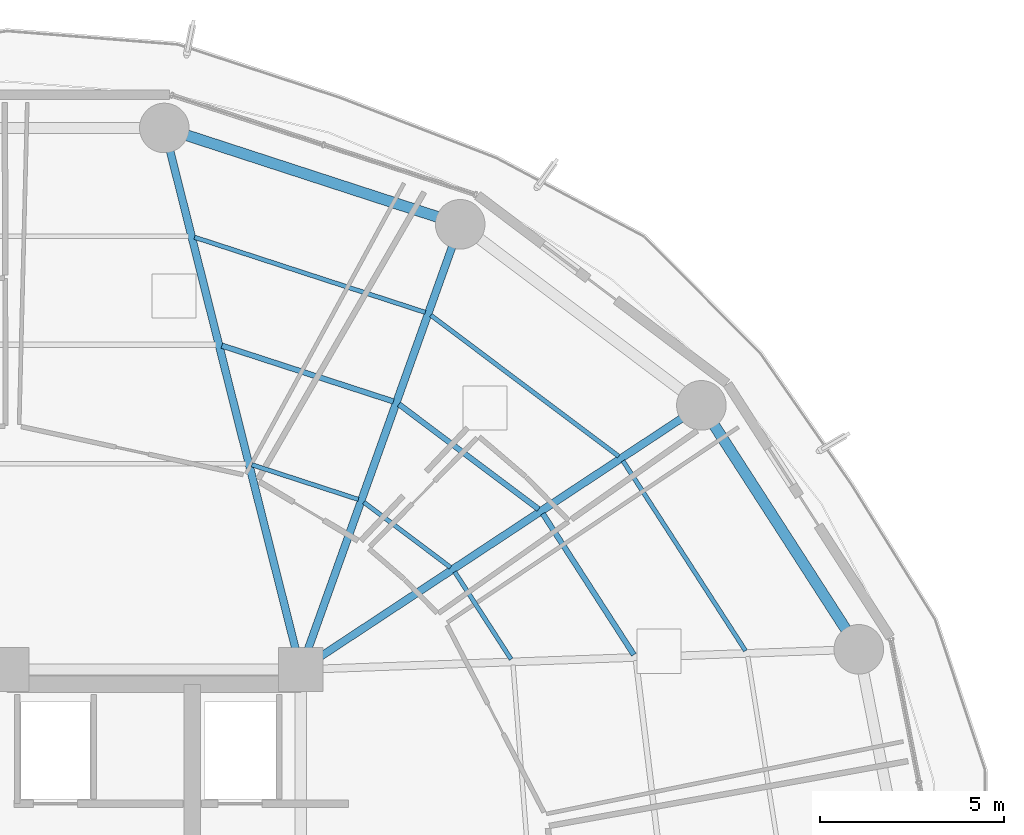
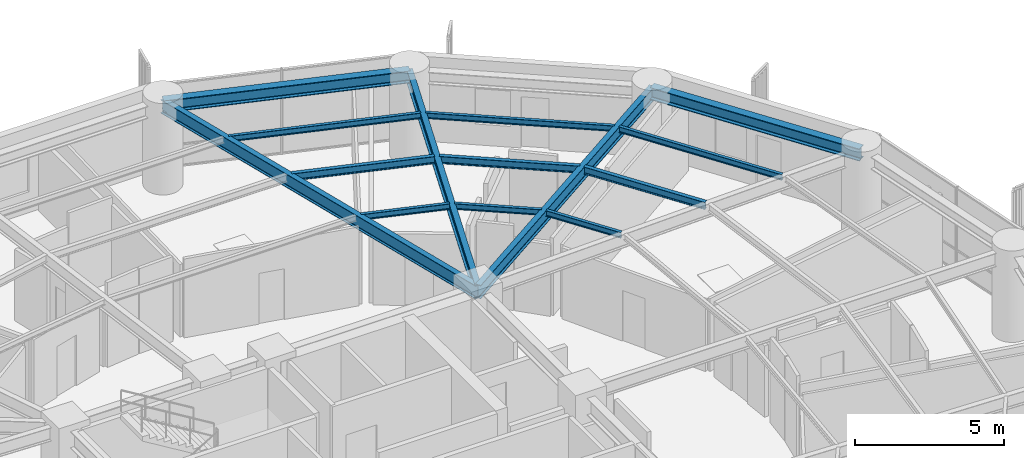
# One storey, part 24 of 35: 14 beams.
"""IFC4 building model written with IfcOpenShell, lengths in metres."""

import ifcopenshell
import ifcopenshell.guid

model = None  # the IFC model being written
_history = None  # IfcOwnerHistory: only IFC2X3 demands one
_inside = {}  # id of a spatial element -> (the spatial element, [elements in it])
_under = {}  # id of a project, library or spatial element -> (it, [spatial elements below it])
_declared = {}  # id of a project -> (the project, [libraries it declares])
_typed = {}  # id of a type object -> (the type object, [elements of that type])
_made_of = {}  # id of a material, layer set ... -> (it, [elements and type objects made of it])


def new_model(schema):
    """Start an empty IFC model of exactly this schema.

    Asked for "IFC4X3", IfcOpenShell would pick the latest addendum, in which some entities
    have other attributes; the version numbers below select the first issue.
    IFC2X3 requires an IfcOwnerHistory on every rooted entity: one is made here for all.
    """
    global model, _history
    if schema == "IFC4X3":
        model = ifcopenshell.file(schema_version=(4, 3, 0, 0))
    else:
        model = ifcopenshell.file(schema=schema)
    _inside.clear()
    _under.clear()
    _declared.clear()
    _typed.clear()
    _made_of.clear()
    _history = None
    if model.schema == "IFC2X3":
        org = make("IfcOrganization", Name="unknown")
        user = make(
            "IfcPersonAndOrganization",
            ThePerson=make("IfcPerson", FamilyName="unknown"),
            TheOrganization=org,
        )
        app = make(
            "IfcApplication",
            ApplicationDeveloper=org,
            Version="unknown",
            ApplicationFullName="unknown",
            ApplicationIdentifier="unknown",
        )
        _history = make(
            "IfcOwnerHistory",
            OwningUser=user,
            OwningApplication=app,
            ChangeAction="ADDED",
            CreationDate=0,
        )
    return model


def make(cls, **values):
    """One entity of the class cls with the attributes given. An attribute that is None is left unset."""
    return model.create_entity(
        cls, **{name: value for name, value in values.items() if value is not None}
    )


def rooted(cls, **values):
    """An entity with a GlobalId (a new one), such as an element, a storey or a relation."""
    return make(cls, GlobalId=ifcopenshell.guid.new(), OwnerHistory=_history, **values)


def si_unit(unit_type, name, prefix=None):
    """IfcSIUnit, for example si_unit("LENGTHUNIT", "METRE", prefix="MILLI")."""
    return make("IfcSIUnit", UnitType=unit_type, Prefix=prefix, Name=name)


def assignment(units):
    """IfcUnitAssignment: the units of a project."""
    return None if units is None else make("IfcUnitAssignment", Units=units)


def point(xyz):
    """IfcCartesianPoint."""
    return None if xyz is None else make("IfcCartesianPoint", Coordinates=xyz)


def direction(xyz):
    """IfcDirection."""
    return None if xyz is None else make("IfcDirection", DirectionRatios=xyz)


def frame(location, z_axis=None, x_axis=None):
    """IfcAxis2Placement3D, a coordinate frame: its origin and axes. An axis left out is left unset."""
    return make(
        "IfcAxis2Placement3D",
        Location=point(location),
        Axis=direction(z_axis),
        RefDirection=direction(x_axis),
    )


def frame_2d(location, x_axis=None):
    """IfcAxis2Placement2D, a coordinate frame in the plane: its origin and x axis."""
    return make(
        "IfcAxis2Placement2D", Location=point(location), RefDirection=direction(x_axis)
    )


def origin():
    """The frame at (0, 0, 0) with its axes left unset."""
    return frame((0.0, 0.0, 0.0))


def origin_2d():
    """The frame at (0, 0) in the plane with its x axis left unset."""
    return frame_2d((0.0, 0.0))


def place(relative_to, where):
    """IfcLocalPlacement: puts the frame where relative to a parent placement (None: the world)."""
    return make(
        "IfcLocalPlacement", PlacementRelTo=relative_to, RelativePlacement=where
    )


def context(
    kind, dimensions, precision=None, world=None, true_north=None, identifier=None
):
    """IfcGeometricRepresentationContext, for example the 3D "Model" context."""
    return make(
        "IfcGeometricRepresentationContext",
        ContextIdentifier=identifier,
        ContextType=kind,
        CoordinateSpaceDimension=dimensions,
        Precision=precision,
        WorldCoordinateSystem=world,
        TrueNorth=true_north,
    )


def subcontext(parent, identifier, kind, view, scale=None):
    """IfcGeometricRepresentationSubContext, for example "Body" below "Model"."""
    return make(
        "IfcGeometricRepresentationSubContext",
        ContextIdentifier=identifier,
        ContextType=kind,
        ParentContext=parent,
        TargetScale=scale,
        TargetView=view,
    )


def project(units=None, contexts=None):
    """IfcProject with its units and contexts."""
    return rooted(
        "IfcProject",
        Name="project",
        RepresentationContexts=contexts,
        UnitsInContext=assignment(units),
    )


def spatial(cls, under=None, at=None, **own):
    """A site, building, storey or space (cls), placed at a placement, below another one or the project."""
    s = rooted(cls, ObjectPlacement=at, **own)
    if under is not None:
        _under.setdefault(under.id(), (under, []))[1].append(s)
    return s


def profile(cls, at=None, kind="AREA", **sizes):
    """A parametric profile (cls). Its sizes go by their IFC names, for example OverallWidth=200.0."""
    return make(cls, ProfileType=kind, Position=at, **sizes)


def i_section(**sizes):
    """IfcIShapeProfileDef."""
    return profile("IfcIShapeProfileDef", **sizes)


def extrude(swept, where, along, depth):
    """IfcExtrudedAreaSolid: the profile swept, set in the frame where, extruded along a direction by depth."""
    return make(
        "IfcExtrudedAreaSolid",
        SweptArea=swept,
        Position=where,
        ExtrudedDirection=direction(along),
        Depth=depth,
    )


def shape(context_of_items, identifier, shape_type, items):
    """IfcShapeRepresentation: the items that make up one representation, for example the "Body"."""
    return make(
        "IfcShapeRepresentation",
        ContextOfItems=context_of_items,
        RepresentationIdentifier=identifier,
        RepresentationType=shape_type,
        Items=items,
    )


def material(Name=None, Category=None):
    """IfcMaterial."""
    return make("IfcMaterial", Name=Name, Category=Category)


def material_profile(
    of_material, cross_section, Name=None, Category=None, Priority=None
):
    """IfcMaterialProfile: a cross section and its material."""
    return make(
        "IfcMaterialProfile",
        Name=Name,
        Material=of_material,
        Profile=cross_section,
        Priority=Priority,
        Category=Category,
    )


def profile_set(profiles, Name=None, composite=None):
    """IfcMaterialProfileSet."""
    return make(
        "IfcMaterialProfileSet",
        Name=Name,
        MaterialProfiles=profiles,
        CompositeProfile=composite,
    )


def made_of(thing, what):
    """Note that an element or type object is made of a material, layer set ...; save() writes the relation."""
    if what is not None:
        _made_of.setdefault(what.id(), (what, []))[1].append(thing)
    return thing


def type_object(cls, material=None, **own):
    """A type object (cls), such as IfcWallType, which elements share."""
    return made_of(rooted(cls, **own), material)


def element(
    cls,
    number,
    at=None,
    inside=None,
    cuts=None,
    type_object=None,
    material=None,
    context=None,
    identifier="Body",
    shape_type=None,
    held_by="IfcProductDefinitionShape",
    body=None,
    shapes=None,
    **own,
):
    """One element of the class cls, such as IfcWall. Its Tag is "e" and its number.

    at: its placement. inside: the storey or other place that contains it. cuts: it is an
    opening in that element (IfcRelVoidsElement). A single representation is given by context,
    identifier, shape_type and body (its items); several are given by shapes. held_by: the class
    of the entity that holds the representations. save() writes the other relations.
    """
    e = rooted(cls, Tag="e%d" % number, ObjectPlacement=at, **own)
    if body is not None:
        shapes = [shape(context, identifier, shape_type, body)]
    if shapes is not None:
        e.Representation = make(held_by, Representations=shapes)
    if inside is not None:
        _inside.setdefault(inside.id(), (inside, []))[1].append(e)
    if cuts is not None:
        rooted(
            "IfcRelVoidsElement", RelatingBuildingElement=cuts, RelatedOpeningElement=e
        )
    if type_object is not None:
        _typed.setdefault(type_object.id(), (type_object, []))[1].append(e)
    return made_of(e, material)


def aggregate(whole, parts):
    """IfcRelAggregates: a whole, such as a stair, and the parts it consists of."""
    return rooted("IfcRelAggregates", RelatingObject=whole, RelatedObjects=parts)


def save(model, path):
    """Write the relations noted so far, then the file.

    IfcRelAggregates (storeys below a building ...), IfcRelContainedInSpatialStructure (elements
    in a storey), IfcRelDefinesByType, IfcRelAssociatesMaterial and IfcRelDeclares: one each for
    every whole, place, type object, material and project.
    """
    for whole, parts in _under.values():
        aggregate(whole, parts)
    for where, things in _inside.values():
        rooted(
            "IfcRelContainedInSpatialStructure",
            RelatedElements=things,
            RelatingStructure=where,
        )
    for kind, things in _typed.values():
        rooted("IfcRelDefinesByType", RelatedObjects=things, RelatingType=kind)
    for what, things in _made_of.values():
        rooted("IfcRelAssociatesMaterial", RelatedObjects=things, RelatingMaterial=what)
    for by, libraries in _declared.values():
        rooted("IfcRelDeclares", RelatingContext=by, RelatedDefinitions=libraries)
    model.write(path)


model = new_model("IFC4")

# Units and contexts
model_context = context("Model", 3, precision=1e-05, world=origin(), true_north=direction((0.0, 1.0)))
body_context = subcontext(model_context, "Body", "Model", "MODEL_VIEW")
ifc_project = project(units=[si_unit("LENGTHUNIT", "METRE"), si_unit("AREAUNIT", "SQUARE_METRE"), si_unit("VOLUMEUNIT", "CUBIC_METRE"), si_unit("PLANEANGLEUNIT", "RADIAN"), si_unit("MASSUNIT", "GRAM", prefix="KILO")], contexts=[model_context])

# Site, building, storey
site_placement = place(None, origin())
site = spatial("IfcSite", under=ifc_project, at=site_placement, CompositionType="ELEMENT")
building_placement = place(site_placement, origin())
building = spatial("IfcBuilding", under=site, at=building_placement, Name="Kelanora Arch Commons", CompositionType="ELEMENT")
storey_placement = place(building_placement, frame((0.0, 0.0, 121.35009765625)))
storey = spatial("IfcBuildingStorey", under=building, at=storey_placement, Name="L31", CompositionType="ELEMENT", Elevation=121.35009765625)

# Beams
ifc_material = material(Name="Steel S355", Category="steel")
ifc_material_profile_1 = material_profile(ifc_material, i_section(OverallWidth=0.14990234375, OverallDepth=0.300048828125, WebThickness=0.007080078125, FlangeThickness=0.0107421875, FilletRadius=0.014892578125, at=origin_2d()), Name="IPE300")
ifc_profile_set_1 = profile_set([ifc_material_profile_1], Name="Steel S355")
beam_type_1 = type_object("IfcBeamType", Name="BM-JST-01", PredefinedType="JOIST", material=ifc_profile_set_1)
beam_1_placement = place(storey_placement, frame((91.06884765625, 65.402587890625, 3.33984375), z_axis=(-0.542230243286, 0.840229946661, 0.0), x_axis=(-0.840229946661, -0.542230243286, 0.0)))
element("IfcBeam", 1, at=beam_1_placement, inside=storey, type_object=beam_type_1, Name="Secondary Chord Joist BJB-02 L31", PredefinedType="JOIST", context=body_context, shape_type="SweptSolid", body=[
    extrude(i_section(OverallWidth=0.14990234375, OverallDepth=0.300048828125, WebThickness=0.007080078125, FlangeThickness=0.0107421875, FilletRadius=0.014892578125, at=origin_2d()), origin(), (0.0, 0.0, 1.0), 4.572265625),
])
beam_2_placement = place(storey_placement, frame((88.4755859375, 69.36669921875, 3.33984375), z_axis=(-0.79971039107, 0.600385951214, 0.0), x_axis=(-0.600385951214, -0.79971039107, 0.0)))
element("IfcBeam", 2, at=beam_2_placement, inside=storey, type_object=beam_type_1, Name="Secondary Chord Joist BJB-04 L31", PredefinedType="JOIST", context=body_context, shape_type="SweptSolid", body=[
    extrude(i_section(OverallWidth=0.14990234375, OverallDepth=0.300048828125, WebThickness=0.007080078125, FlangeThickness=0.0107421875, FilletRadius=0.014892578125, at=origin_2d()), origin(), (0.0, 0.0, 1.0), 4.756103515625),
])
beam_3_placement = place(storey_placement, frame((84.523193359375, 72.29931640625, 3.33984375), z_axis=(-0.950857140254, 0.309629938521, 0.0), x_axis=(-0.309629938521, -0.950857140254, 0.0)))
element("IfcBeam", 3, at=beam_3_placement, inside=storey, type_object=beam_type_1, Name="Secondary Chord Joist BJB-06 L31", PredefinedType="JOIST", context=body_context, shape_type="SweptSolid", body=[
    extrude(i_section(OverallWidth=0.14990234375, OverallDepth=0.300048828125, WebThickness=0.007080078125, FlangeThickness=0.0107421875, FilletRadius=0.014892578125, at=origin_2d()), origin(), (0.0, 0.0, 1.0), 4.912353515625),
])
ifc_material_profile_2 = material_profile(ifc_material, i_section(OverallWidth=0.1201171875, OverallDepth=0.239990234375, WebThickness=0.006103515625, FlangeThickness=0.009765625, FilletRadius=0.014892578125, at=origin_2d()), Name="IPE240")
ifc_profile_set_2 = profile_set([ifc_material_profile_2], Name="Steel S355")
beam_type_2 = type_object("IfcBeamType", Name="BM-JST-02", PredefinedType="JOIST", material=ifc_profile_set_2)
beam_4_placement = place(storey_placement, frame((87.726806640625, 65.281005859375, 3.369873046875), z_axis=(-0.542211255502, 0.840242199849, 0.0), x_axis=(-0.840242199849, -0.542211255502, 0.0)))
element("IfcBeam", 4, at=beam_4_placement, inside=storey, type_object=beam_type_2, Name="Secondary Chord Joist BJA-02 L31", PredefinedType="JOIST", context=body_context, shape_type="SweptSolid", body=[
    extrude(i_section(OverallWidth=0.1201171875, OverallDepth=0.239990234375, WebThickness=0.006103515625, FlangeThickness=0.009765625, FilletRadius=0.014892578125, at=origin_2d()), origin(), (0.0, 0.0, 1.0), 2.83349609375),
])
beam_5_placement = place(storey_placement, frame((94.107177734375, 65.512939453125, 3.369873046875), z_axis=(-0.542212726273, 0.840241250754, 0.0), x_axis=(-0.840241250754, -0.542212726273, 0.0)))
element("IfcBeam", 5, at=beam_5_placement, inside=storey, type_object=beam_type_2, Name="Secondary Chord Joist BJC-02 L31", PredefinedType="JOIST", context=body_context, shape_type="SweptSolid", body=[
    extrude(i_section(OverallWidth=0.1201171875, OverallDepth=0.239990234375, WebThickness=0.006103515625, FlangeThickness=0.009765625, FilletRadius=0.014892578125, at=origin_2d()), origin(), (0.0, 0.0, 1.0), 6.15283203125),
])
beam_6_placement = place(storey_placement, frame((86.076416015625, 67.7841796875, 3.369873046875), z_axis=(-0.799692034361, 0.600410401458, 0.0), x_axis=(-0.600410401458, -0.799692034361, 0.0)))
element("IfcBeam", 6, at=beam_6_placement, inside=storey, type_object=beam_type_2, Name="Secondary Chord Joist BJA-04 L31", PredefinedType="JOIST", context=body_context, shape_type="SweptSolid", body=[
    extrude(i_section(OverallWidth=0.1201171875, OverallDepth=0.239990234375, WebThickness=0.006103515625, FlangeThickness=0.009765625, FilletRadius=0.014892578125, at=origin_2d()), origin(), (0.0, 0.0, 1.0), 2.949951171875),
])
beam_7_placement = place(storey_placement, frame((90.65673828125, 70.805419921875, 3.369873046875), z_axis=(-0.799734335646, 0.600354055861, 0.0), x_axis=(-0.600354055861, -0.799734335646, 0.0)))
element("IfcBeam", 7, at=beam_7_placement, inside=storey, type_object=beam_type_2, Name="Secondary Chord Joist BJC-04 L31", PredefinedType="JOIST", context=body_context, shape_type="SweptSolid", body=[
    extrude(i_section(OverallWidth=0.1201171875, OverallDepth=0.239990234375, WebThickness=0.006103515625, FlangeThickness=0.009765625, FilletRadius=0.014892578125, at=origin_2d()), origin(), (0.0, 0.0, 1.0), 6.39794921875),
])
beam_8_placement = place(storey_placement, frame((83.568359375, 69.632568359375, 3.369873046875), z_axis=(-0.950846758946, 0.309661817151, 0.0), x_axis=(-0.309661817151, -0.950846758946, 0.0)))
element("IfcBeam", 8, at=beam_8_placement, inside=storey, type_object=beam_type_2, Name="Secondary Chord Joist BJA-06 L31", PredefinedType="JOIST", context=body_context, shape_type="SweptSolid", body=[
    extrude(i_section(OverallWidth=0.1201171875, OverallDepth=0.239990234375, WebThickness=0.006103515625, FlangeThickness=0.009765625, FilletRadius=0.014892578125, at=origin_2d()), origin(), (0.0, 0.0, 1.0), 3.048828125),
])
beam_9_placement = place(storey_placement, frame((85.39111328125, 74.723876953125, 3.369873046875), z_axis=(-0.950862829272, 0.309612467301, 0.0), x_axis=(-0.309612467301, -0.950862829272, 0.0)))
element("IfcBeam", 9, at=beam_9_placement, inside=storey, type_object=beam_type_2, Name="Secondary Chord Joist BJC-06 L31", PredefinedType="JOIST", context=body_context, shape_type="SweptSolid", body=[
    extrude(i_section(OverallWidth=0.1201171875, OverallDepth=0.239990234375, WebThickness=0.006103515625, FlangeThickness=0.009765625, FilletRadius=0.014892578125, at=origin_2d()), origin(), (0.0, 0.0, 1.0), 6.6064453125),
])
ifc_material_profile_3 = material_profile(ifc_material, i_section(OverallWidth=0.2099609375, OverallDepth=0.550048828125, WebThickness=0.010986328125, FlangeThickness=0.01708984375, FilletRadius=0.02392578125, at=origin_2d()), Name="IPE550")
ifc_profile_set_3 = profile_set([ifc_material_profile_3], Name="Steel S355")
beam_type_3 = type_object("IfcBeamType", Name="BM-RAD-Z2", PredefinedType="BEAM", material=ifc_profile_set_3)
beam_10_placement = place(storey_placement, frame((82.0, 65.0, 3.21484375), z_axis=(0.834788577908, 0.550570640512, 0.0), x_axis=(-0.550570640512, 0.834788577908, 0.0)))
element("IfcBeam", 10, at=beam_10_placement, inside=storey, type_object=beam_type_3, Name="Radial Floor Girder BR-04 L31", PredefinedType="BEAM", context=body_context, shape_type="SweptSolid", body=[
    extrude(i_section(OverallWidth=0.2099609375, OverallDepth=0.550048828125, WebThickness=0.010986328125, FlangeThickness=0.01708984375, FilletRadius=0.02392578125, at=origin_2d()), origin(), (0.0, 0.0, 1.0), 13.064453125),
])
beam_11_placement = place(storey_placement, frame((82.0, 65.0, 3.21484375), z_axis=(0.337084640008, 0.941474346687, 0.0), x_axis=(-0.941474346687, 0.337084640008, 0.0)))
element("IfcBeam", 11, at=beam_11_placement, inside=storey, type_object=beam_type_3, Name="Radial Floor Girder BR-06 L31", PredefinedType="BEAM", context=body_context, shape_type="SweptSolid", body=[
    extrude(i_section(OverallWidth=0.2099609375, OverallDepth=0.550048828125, WebThickness=0.010986328125, FlangeThickness=0.01708984375, FilletRadius=0.02392578125, at=origin_2d()), origin(), (0.0, 0.0, 1.0), 12.875244140625),
])
beam_12_placement = place(storey_placement, frame((82.0, 65.0, 3.21484375), z_axis=(-0.244280647475, 0.969704576286, 0.0), x_axis=(-0.969704576286, -0.244280647475, 0.0)))
element("IfcBeam", 12, at=beam_12_placement, inside=storey, type_object=beam_type_3, Name="Radial Floor Girder BR-08 L31", PredefinedType="BEAM", context=body_context, shape_type="SweptSolid", body=[
    extrude(i_section(OverallWidth=0.2099609375, OverallDepth=0.550048828125, WebThickness=0.010986328125, FlangeThickness=0.01708984375, FilletRadius=0.02392578125, at=origin_2d()), origin(), (0.0, 0.0, 1.0), 15.205322265625),
])
ifc_material_profile_4 = material_profile(ifc_material, i_section(OverallWidth=0.300048828125, OverallDepth=0.5, WebThickness=0.014404296875, FlangeThickness=0.028076171875, FilletRadius=0.027099609375, at=origin_2d()), Name="HEB500")
ifc_profile_set_4 = profile_set([ifc_material_profile_4], Name="Steel S355")
beam_type_4 = type_object("IfcBeamType", Name="BM-SPN-Z2", PredefinedType="SPANDREL", material=ifc_profile_set_4)
beam_13_placement = place(storey_placement, frame((97.191650390625, 65.5517578125, 3.239990234375), z_axis=(-0.542221144054, 0.840235818649, 0.0), x_axis=(-0.840235818649, -0.542221144054, 0.0)))
element("IfcBeam", 13, at=beam_13_placement, inside=storey, type_object=beam_type_4, Name="Perimeter Spandrel Beam BS-02 L31", PredefinedType="SPANDREL", context=body_context, shape_type="SweptSolid", body=[
    extrude(i_section(OverallWidth=0.300048828125, OverallDepth=0.5, WebThickness=0.014404296875, FlangeThickness=0.028076171875, FilletRadius=0.027099609375, at=origin_2d()), origin(), (0.0, 0.0, 1.0), 7.90380859375),
])
beam_14_placement = place(storey_placement, frame((86.340087890625, 77.121826171875, 3.239990234375), z_axis=(-0.950856631974, 0.309631499418, 0.0), x_axis=(-0.309631499418, -0.950856631974, 0.0)))
element("IfcBeam", 14, at=beam_14_placement, inside=storey, type_object=beam_type_4, Name="Perimeter Spandrel Beam BS-06 L31", PredefinedType="SPANDREL", context=body_context, shape_type="SweptSolid", body=[
    extrude(i_section(OverallWidth=0.300048828125, OverallDepth=0.5, WebThickness=0.014404296875, FlangeThickness=0.028076171875, FilletRadius=0.027099609375, at=origin_2d()), origin(), (0.0, 0.0, 1.0), 8.470703125),
])

save(model, "model.ifc")
